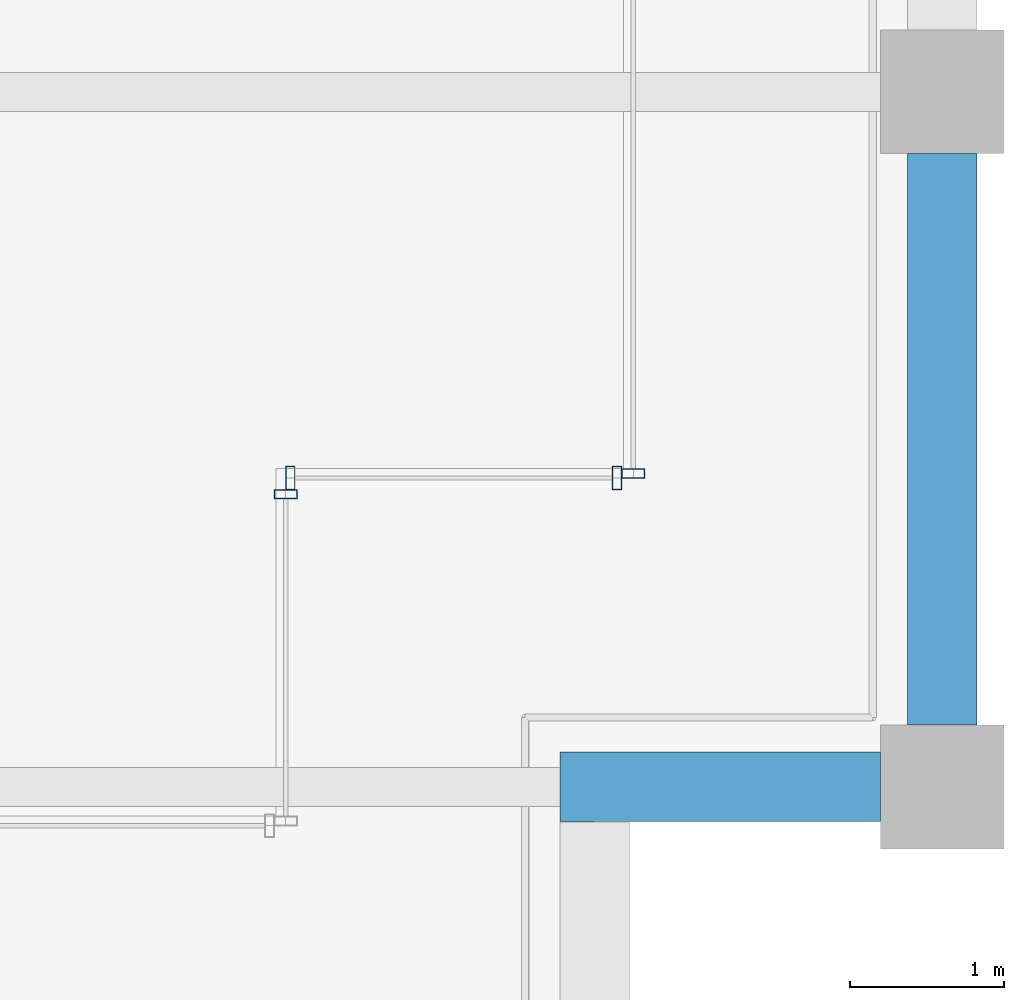
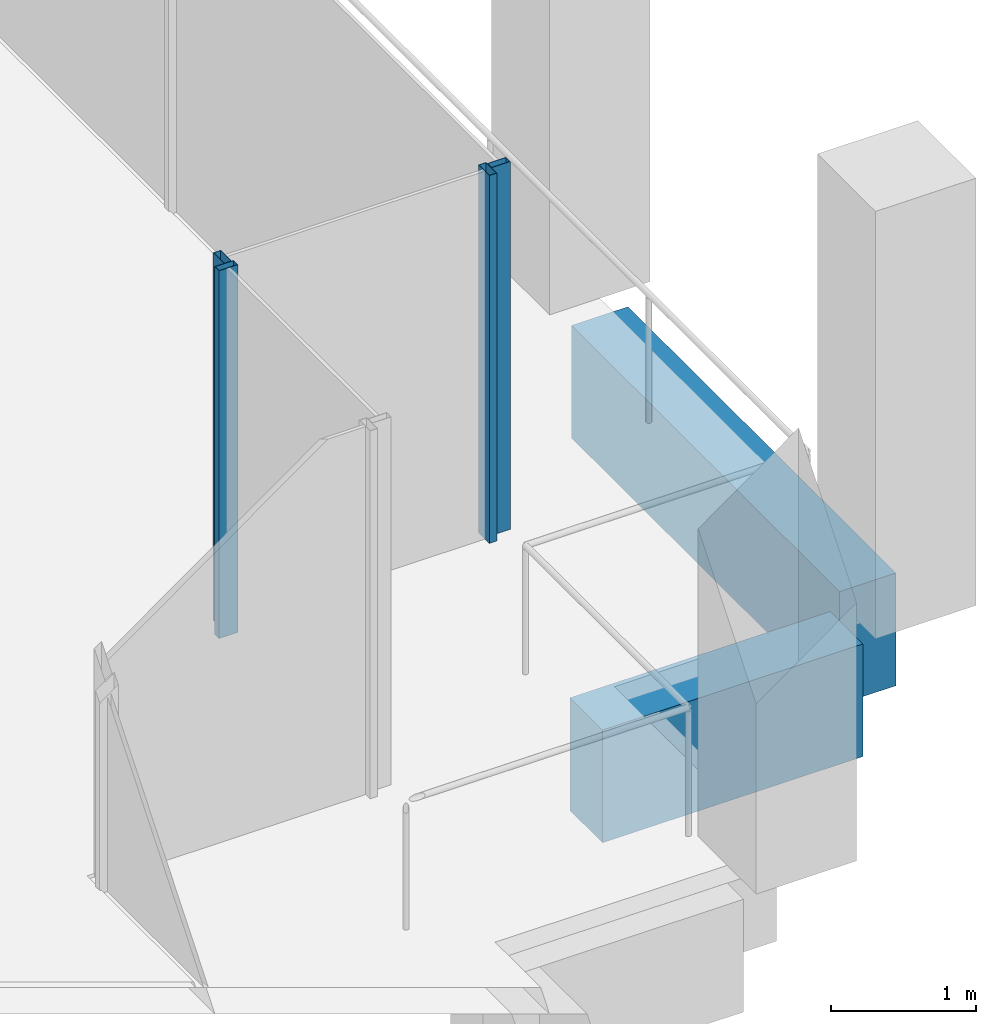
# One storey, part 13 of 30: 4 members, 2 beams, 3 elements without a shape of their own.
"""IFC4 building model written with IfcOpenShell, lengths in metres."""

from ifc_helpers import new_model, si_unit, direction, frame, origin, origin_2d, place, context, subcontext, project, spatial, rectangle, hollow_rectangle, extrude, material, material_profile, profile_set, type_object, element, aggregate, save


model = new_model("IFC4")

# Units and contexts
model_context = context("Model", 3, precision=1e-05, world=origin(), true_north=direction((0.0, 1.0)))
body_context = subcontext(model_context, "Body", "Model", "MODEL_VIEW")
ifc_project = project(units=[si_unit("LENGTHUNIT", "METRE"), si_unit("AREAUNIT", "SQUARE_METRE"), si_unit("VOLUMEUNIT", "CUBIC_METRE"), si_unit("PLANEANGLEUNIT", "RADIAN"), si_unit("MASSUNIT", "GRAM", prefix="KILO")], contexts=[model_context])

# Site, building, storey
site_placement = place(None, origin())
site = spatial("IfcSite", under=ifc_project, at=site_placement, CompositionType="ELEMENT")
building_placement = place(site_placement, origin())
building = spatial("IfcBuilding", under=site, at=building_placement, Name="Altepetl Exchange Towers", CompositionType="ELEMENT")
storey_placement = place(building_placement, frame((0.0, 0.0, 224.39990234375)))
storey = spatial("IfcBuildingStorey", under=building, at=storey_placement, Name="L57", CompositionType="ELEMENT", Elevation=224.39990234375)

# Curtain wall, member
ifc_material_1 = material(Name="Aluminium 6063-T6 glazing", Category="aluminium")
curtain_wall_type = type_object("IfcCurtainWallType", Name="Loggia glazing system", PredefinedType="NOTDEFINED", material=ifc_material_1)
curtain_wall_1_placement = place(storey_placement, origin())
curtain_wall_1 = element("IfcCurtainWall", 1, at=curtain_wall_1_placement, inside=storey, type_object=curtain_wall_type, Name="CW1 run", PredefinedType="NOTDEFINED")
ifc_material_2 = material(Name="Aluminium 6063-T6", Category="aluminium")
ifc_material_profile_1 = material_profile(ifc_material_2, hollow_rectangle(XDim=0.06005859375, YDim=0.14990234375, WallThickness=0.0029296875, at=origin_2d()), Name="Mullion 60x150 aluminium")
ifc_profile_set_1 = profile_set([ifc_material_profile_1], Name="Aluminium 6063-T6")
member_type = type_object("IfcMemberType", Name="Mullion 60x150 aluminium", PredefinedType="MULLION", material=ifc_profile_set_1)
member_1_placement = place(storey_placement, frame((67.75, 33.39501953125, 0.0), z_axis=(0.0, 0.0, 1.0), x_axis=(0.0, 1.0, 0.0)))
member_1 = element("IfcMember", 2, at=member_1_placement, type_object=member_type, Name="MU1 mullion", PredefinedType="MULLION", context=body_context, shape_type="SweptSolid", body=[
    extrude(hollow_rectangle(XDim=0.06005859375, YDim=0.14990234375, WallThickness=0.0029296875, at=origin_2d()), origin(), (0.0, 0.0, 1.0), 3.10009765625),
])
aggregate(curtain_wall_1, [member_1])

# Curtain wall, members
curtain_wall_2_placement = place(storey_placement, origin())
curtain_wall_2 = element("IfcCurtainWall", 3, at=curtain_wall_2_placement, inside=storey, type_object=curtain_wall_type, Name="CW1 run", PredefinedType="NOTDEFINED")
member_2_placement = place(storey_placement, frame((67.780029296875, 33.5, 0.0)))
member_2 = element("IfcMember", 4, at=member_2_placement, type_object=member_type, Name="MU1 mullion", PredefinedType="MULLION", context=body_context, shape_type="SweptSolid", body=[
    extrude(hollow_rectangle(XDim=0.06005859375, YDim=0.14990234375, WallThickness=0.0029296875, at=origin_2d()), origin(), (0.0, 0.0, 1.0), 3.10009765625),
])
member_3_placement = place(storey_placement, frame((69.89501953125, 33.5, 0.0)))
member_3 = element("IfcMember", 5, at=member_3_placement, type_object=member_type, Name="MU1 mullion", PredefinedType="MULLION", context=body_context, shape_type="SweptSolid", body=[
    extrude(hollow_rectangle(XDim=0.06005859375, YDim=0.14990234375, WallThickness=0.0029296875, at=origin_2d()), origin(), (0.0, 0.0, 1.0), 3.10009765625),
])
aggregate(curtain_wall_2, [member_2, member_3])

# Curtain wall, member
curtain_wall_3_placement = place(storey_placement, origin())
curtain_wall_3 = element("IfcCurtainWall", 6, at=curtain_wall_3_placement, inside=storey, type_object=curtain_wall_type, Name="CW1 run", PredefinedType="NOTDEFINED")
member_4_placement = place(storey_placement, frame((70.0, 33.530029296875, 0.0), z_axis=(0.0, 0.0, 1.0), x_axis=(0.0, 1.0, 0.0)))
member_4 = element("IfcMember", 7, at=member_4_placement, type_object=member_type, Name="MU1 mullion", PredefinedType="MULLION", context=body_context, shape_type="SweptSolid", body=[
    extrude(hollow_rectangle(XDim=0.06005859375, YDim=0.14990234375, WallThickness=0.0029296875, at=origin_2d()), origin(), (0.0, 0.0, 1.0), 3.10009765625),
])
aggregate(curtain_wall_3, [member_4])

# Beams
ifc_material_3 = material(Name="Concrete C50/60 precast with cantera amarilla facing", Category="concrete")
ifc_material_profile_2 = material_profile(ifc_material_3, rectangle(XDim=0.449951171875, YDim=0.949951171875, at=origin_2d()), Name="450 x 950")
ifc_profile_set_2 = profile_set([ifc_material_profile_2], Name="Concrete C50/60 precast with cantera amarilla facing")
beam_type = type_object("IfcBeamType", Name="Spandrel beam 450x950 cantera amarilla", PredefinedType="SPANDREL", material=ifc_profile_set_2)
beam_1_placement = place(storey_placement, frame((69.52490234375, 31.5, -0.625), z_axis=(1.0, 0.0, 0.0), x_axis=(0.0, 1.0, 0.0)))
element("IfcBeam", 8, at=beam_1_placement, inside=storey, type_object=beam_type, Name="sp:A:L57:011", PredefinedType="SPANDREL", context=body_context, shape_type="SweptSolid", body=[
    extrude(rectangle(XDim=0.449951171875, YDim=0.949951171875, at=origin_2d()), origin(), (0.0, 0.0, 1.0), 2.0751953125),
])
beam_2_placement = place(storey_placement, frame((72.0, 31.89990234375, -0.625), z_axis=(0.0, 1.0, 0.0), x_axis=(-1.0, 0.0, 0.0)))
element("IfcBeam", 9, at=beam_2_placement, inside=storey, type_object=beam_type, Name="sp:A:L57:012", PredefinedType="SPANDREL", context=body_context, shape_type="SweptSolid", body=[
    extrude(rectangle(XDim=0.449951171875, YDim=0.949951171875, at=origin_2d()), origin(), (0.0, 0.0, 1.0), 3.7001953125),
])

save(model, "model.ifc")
